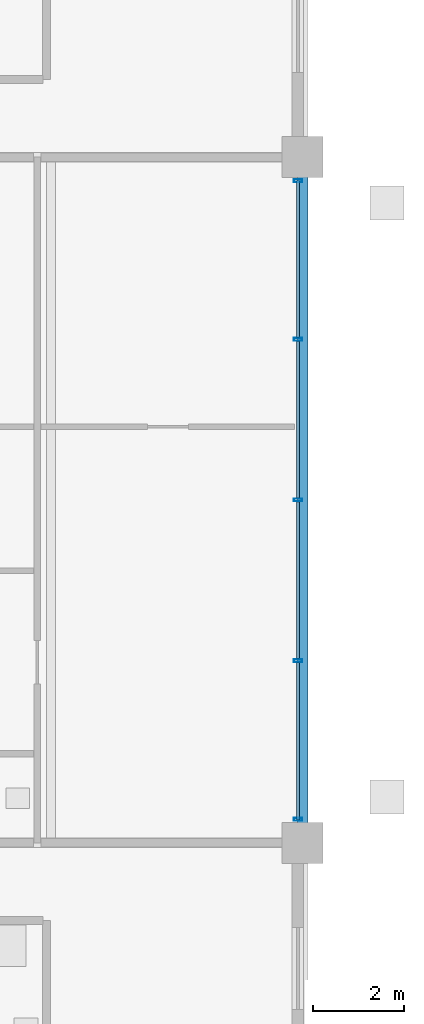
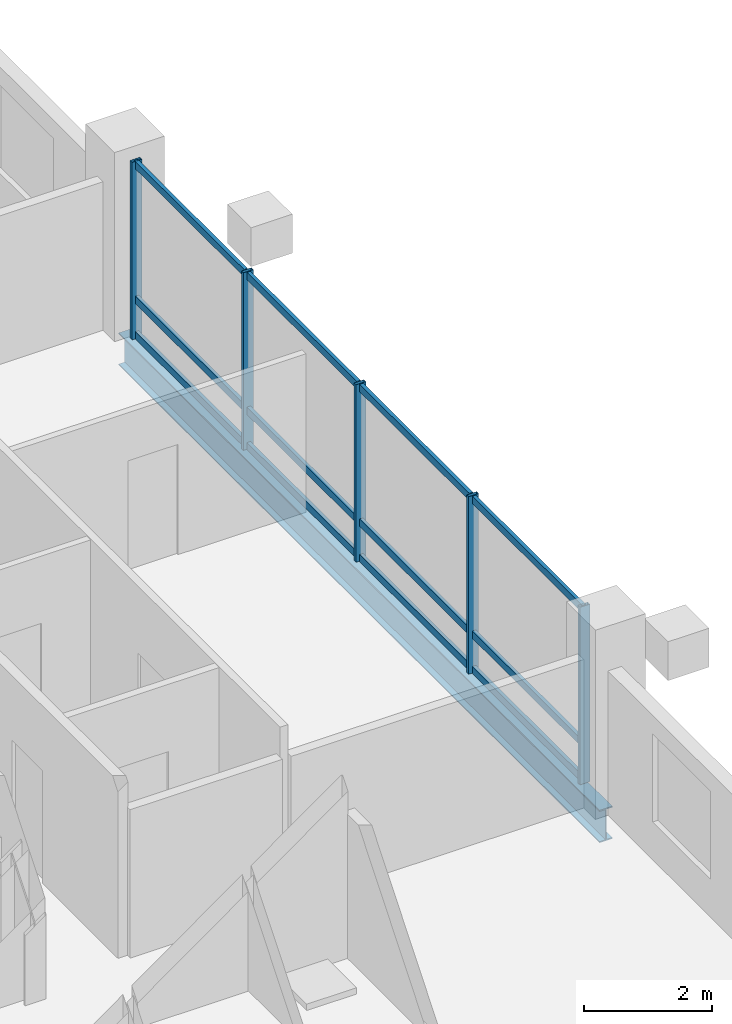
# One storey, part 10 of 21: 17 members, 1 beam, 1 element without a shape of its own.
"""IFC4 building model written with IfcOpenShell, lengths in metres."""

from ifc_helpers import new_model, si_unit, direction, frame, origin, origin_2d, place, context, subcontext, project, spatial, hollow_rectangle, i_section, extrude, material, layer, layer_set, material_profile, profile_set, type_object, element, aggregate, save


model = new_model("IFC4")

# Units and contexts
model_context = context("Model", 3, precision=1e-05, world=origin(), true_north=direction((0.0, 1.0)))
body_context = subcontext(model_context, "Body", "Model", "MODEL_VIEW")
ifc_project = project(units=[si_unit("LENGTHUNIT", "METRE"), si_unit("AREAUNIT", "SQUARE_METRE"), si_unit("VOLUMEUNIT", "CUBIC_METRE"), si_unit("PLANEANGLEUNIT", "RADIAN"), si_unit("MASSUNIT", "GRAM", prefix="KILO")], contexts=[model_context])

# Site, building, storey
site_placement = place(None, origin())
site = spatial("IfcSite", under=ifc_project, at=site_placement, CompositionType="ELEMENT")
building_placement = place(site_placement, origin())
building = spatial("IfcBuilding", under=site, at=building_placement, Name="Barlavira Tower and Art Museum", CompositionType="ELEMENT")
storey_placement = place(building_placement, frame((0.0, 0.0, 233.10009765625)))
storey = spatial("IfcBuildingStorey", under=building, at=storey_placement, Name="L60", CompositionType="ELEMENT", Elevation=233.10009765625)

# Curtain wall, members
ifc_material_1 = material(Name="Low-iron coastal laminated glass", Category="glass")
ifc_layer = layer(ifc_material_1, 0.2099609375, Name="Low-iron coastal laminated glass")
ifc_layer_set = layer_set([ifc_layer], Name="Low-iron coastal laminated glass")
curtain_wall_type = type_object("IfcCurtainWallType", Name="Pale-Metal Unitised Curtain Wall Zone 4", PredefinedType="NOTDEFINED", material=ifc_layer_set)
curtain_wall_placement = place(storey_placement, origin())
curtain_wall = element("IfcCurtainWall", 1, at=curtain_wall_placement, inside=storey, type_object=curtain_wall_type, Name="L60 Curtain Wall CW4-L60-E-B3", PredefinedType="NOTDEFINED")
ifc_material_2 = material(Name="Pale anodised aluminium", Category="aluminium")
ifc_material_profile_1 = material_profile(ifc_material_2, hollow_rectangle(XDim=0.06494140625, YDim=0.179931640625, WallThickness=0.00390625, at=origin_2d()), Name="ALU-MULL 65x180x4")
ifc_profile_set_1 = profile_set([ifc_material_profile_1], Name="Pale anodised aluminium")
member_type_1 = type_object("IfcMemberType", Name="Curtain Wall Pale-Metal Mullion 65x180", PredefinedType="MULLION", material=ifc_profile_set_1)
member_1_placement = place(storey_placement, frame((16.89990234375, -6.985107421875, 0.0), z_axis=(0.0, 0.0, 1.0), x_axis=(0.0, 1.0, 0.0)))
member_1 = element("IfcMember", 2, at=member_1_placement, type_object=member_type_1, Name="CW4-L60-E-B3 Mullion 0", PredefinedType="MULLION", context=body_context, shape_type="SweptSolid", body=[
    extrude(hollow_rectangle(XDim=0.06494140625, YDim=0.179931640625, WallThickness=0.00390625, at=origin_2d()), origin(), (0.0, 0.0, 1.0), 3.3798828125),
])
member_2_placement = place(storey_placement, frame((16.89990234375, -3.514892578125, 0.0), z_axis=(0.0, 0.0, 1.0), x_axis=(0.0, 1.0, 0.0)))
member_2 = element("IfcMember", 3, at=member_2_placement, type_object=member_type_1, Name="CW4-L60-E-B3 Mullion 1", PredefinedType="MULLION", context=body_context, shape_type="SweptSolid", body=[
    extrude(hollow_rectangle(XDim=0.06494140625, YDim=0.179931640625, WallThickness=0.00390625, at=origin_2d()), origin(), (0.0, 0.0, 1.0), 3.3798828125),
])
member_3_placement = place(storey_placement, frame((16.89990234375, 0.0, 0.0), z_axis=(0.0, 0.0, 1.0), x_axis=(0.0, 1.0, 0.0)))
member_3 = element("IfcMember", 4, at=member_3_placement, type_object=member_type_1, Name="CW4-L60-E-B3 Mullion 2", PredefinedType="MULLION", context=body_context, shape_type="SweptSolid", body=[
    extrude(hollow_rectangle(XDim=0.06494140625, YDim=0.179931640625, WallThickness=0.00390625, at=origin_2d()), origin(), (0.0, 0.0, 1.0), 3.3798828125),
])
member_4_placement = place(storey_placement, frame((16.89990234375, 3.514892578125, 0.0), z_axis=(0.0, 0.0, 1.0), x_axis=(0.0, 1.0, 0.0)))
member_4 = element("IfcMember", 5, at=member_4_placement, type_object=member_type_1, Name="CW4-L60-E-B3 Mullion 3", PredefinedType="MULLION", context=body_context, shape_type="SweptSolid", body=[
    extrude(hollow_rectangle(XDim=0.06494140625, YDim=0.179931640625, WallThickness=0.00390625, at=origin_2d()), origin(), (0.0, 0.0, 1.0), 3.3798828125),
])
member_5_placement = place(storey_placement, frame((16.89990234375, 6.985107421875, 0.0), z_axis=(0.0, 0.0, 1.0), x_axis=(0.0, 1.0, 0.0)))
member_5 = element("IfcMember", 6, at=member_5_placement, type_object=member_type_1, Name="CW4-L60-E-B3 Mullion 4", PredefinedType="MULLION", context=body_context, shape_type="SweptSolid", body=[
    extrude(hollow_rectangle(XDim=0.06494140625, YDim=0.179931640625, WallThickness=0.00390625, at=origin_2d()), origin(), (0.0, 0.0, 1.0), 3.3798828125),
])
ifc_material_profile_2 = material_profile(ifc_material_2, hollow_rectangle(XDim=0.06494140625, YDim=0.139892578125, WallThickness=0.00390625, at=origin_2d()), Name="ALU-TRAN 65x140x4")
ifc_profile_set_2 = profile_set([ifc_material_profile_2], Name="Pale anodised aluminium")
member_type_2 = type_object("IfcMemberType", Name="Curtain Wall Pale-Metal Transom 65x140", PredefinedType="USERDEFINED", material=ifc_profile_set_2)
member_6_placement = place(storey_placement, frame((16.89990234375, -6.985107421875, 0.06982421875), z_axis=(0.0, 1.0, 0.0), x_axis=(-1.0, 0.0, 0.0)))
member_6 = element("IfcMember", 7, at=member_6_placement, type_object=member_type_2, Name="CW4-L60-E-B3 Transom 0.1", ObjectType="TRANSOM", PredefinedType="USERDEFINED", context=body_context, shape_type="SweptSolid", body=[
    extrude(hollow_rectangle(XDim=0.06494140625, YDim=0.139892578125, WallThickness=0.00390625, at=origin_2d()), origin(), (0.0, 0.0, 1.0), 3.425048828125),
])
member_7_placement = place(storey_placement, frame((16.89990234375, -6.985107421875, 0.743896484375), z_axis=(0.0, 1.0, 0.0), x_axis=(-1.0, 0.0, 0.0)))
member_7 = element("IfcMember", 8, at=member_7_placement, type_object=member_type_2, Name="CW4-L60-E-B3 Transom 0.2", ObjectType="TRANSOM", PredefinedType="USERDEFINED", context=body_context, shape_type="SweptSolid", body=[
    extrude(hollow_rectangle(XDim=0.06494140625, YDim=0.139892578125, WallThickness=0.00390625, at=origin_2d()), origin(), (0.0, 0.0, 1.0), 3.425048828125),
])
member_8_placement = place(storey_placement, frame((16.89990234375, -6.985107421875, 3.309814453125), z_axis=(0.0, 1.0, 0.0), x_axis=(-1.0, 0.0, 0.0)))
member_8 = element("IfcMember", 9, at=member_8_placement, type_object=member_type_2, Name="CW4-L60-E-B3 Transom 0.3", ObjectType="TRANSOM", PredefinedType="USERDEFINED", context=body_context, shape_type="SweptSolid", body=[
    extrude(hollow_rectangle(XDim=0.06494140625, YDim=0.139892578125, WallThickness=0.00390625, at=origin_2d()), origin(), (0.0, 0.0, 1.0), 3.425048828125),
])
member_9_placement = place(storey_placement, frame((16.89990234375, -3.469970703125, 0.06982421875), z_axis=(0.0, 1.0, 0.0), x_axis=(-1.0, 0.0, 0.0)))
member_9 = element("IfcMember", 10, at=member_9_placement, type_object=member_type_2, Name="CW4-L60-E-B3 Transom 1.1", ObjectType="TRANSOM", PredefinedType="USERDEFINED", context=body_context, shape_type="SweptSolid", body=[
    extrude(hollow_rectangle(XDim=0.06494140625, YDim=0.139892578125, WallThickness=0.00390625, at=origin_2d()), origin(), (0.0, 0.0, 1.0), 3.425048828125),
])
member_10_placement = place(storey_placement, frame((16.89990234375, -3.469970703125, 0.743896484375), z_axis=(0.0, 1.0, 0.0), x_axis=(-1.0, 0.0, 0.0)))
member_10 = element("IfcMember", 11, at=member_10_placement, type_object=member_type_2, Name="CW4-L60-E-B3 Transom 1.2", ObjectType="TRANSOM", PredefinedType="USERDEFINED", context=body_context, shape_type="SweptSolid", body=[
    extrude(hollow_rectangle(XDim=0.06494140625, YDim=0.139892578125, WallThickness=0.00390625, at=origin_2d()), origin(), (0.0, 0.0, 1.0), 3.425048828125),
])
member_11_placement = place(storey_placement, frame((16.89990234375, -3.469970703125, 3.309814453125), z_axis=(0.0, 1.0, 0.0), x_axis=(-1.0, 0.0, 0.0)))
member_11 = element("IfcMember", 12, at=member_11_placement, type_object=member_type_2, Name="CW4-L60-E-B3 Transom 1.3", ObjectType="TRANSOM", PredefinedType="USERDEFINED", context=body_context, shape_type="SweptSolid", body=[
    extrude(hollow_rectangle(XDim=0.06494140625, YDim=0.139892578125, WallThickness=0.00390625, at=origin_2d()), origin(), (0.0, 0.0, 1.0), 3.425048828125),
])
member_12_placement = place(storey_placement, frame((16.89990234375, 0.044921875, 0.06982421875), z_axis=(0.0, 1.0, 0.0), x_axis=(-1.0, 0.0, 0.0)))
member_12 = element("IfcMember", 13, at=member_12_placement, type_object=member_type_2, Name="CW4-L60-E-B3 Transom 2.1", ObjectType="TRANSOM", PredefinedType="USERDEFINED", context=body_context, shape_type="SweptSolid", body=[
    extrude(hollow_rectangle(XDim=0.06494140625, YDim=0.139892578125, WallThickness=0.00390625, at=origin_2d()), origin(), (0.0, 0.0, 1.0), 3.425048828125),
])
member_13_placement = place(storey_placement, frame((16.89990234375, 0.044921875, 0.743896484375), z_axis=(0.0, 1.0, 0.0), x_axis=(-1.0, 0.0, 0.0)))
member_13 = element("IfcMember", 14, at=member_13_placement, type_object=member_type_2, Name="CW4-L60-E-B3 Transom 2.2", ObjectType="TRANSOM", PredefinedType="USERDEFINED", context=body_context, shape_type="SweptSolid", body=[
    extrude(hollow_rectangle(XDim=0.06494140625, YDim=0.139892578125, WallThickness=0.00390625, at=origin_2d()), origin(), (0.0, 0.0, 1.0), 3.425048828125),
])
member_14_placement = place(storey_placement, frame((16.89990234375, 0.044921875, 3.309814453125), z_axis=(0.0, 1.0, 0.0), x_axis=(-1.0, 0.0, 0.0)))
member_14 = element("IfcMember", 15, at=member_14_placement, type_object=member_type_2, Name="CW4-L60-E-B3 Transom 2.3", ObjectType="TRANSOM", PredefinedType="USERDEFINED", context=body_context, shape_type="SweptSolid", body=[
    extrude(hollow_rectangle(XDim=0.06494140625, YDim=0.139892578125, WallThickness=0.00390625, at=origin_2d()), origin(), (0.0, 0.0, 1.0), 3.425048828125),
])
member_15_placement = place(storey_placement, frame((16.89990234375, 3.56005859375, 0.06982421875), z_axis=(0.0, 1.0, 0.0), x_axis=(-1.0, 0.0, 0.0)))
member_15 = element("IfcMember", 16, at=member_15_placement, type_object=member_type_2, Name="CW4-L60-E-B3 Transom 3.1", ObjectType="TRANSOM", PredefinedType="USERDEFINED", context=body_context, shape_type="SweptSolid", body=[
    extrude(hollow_rectangle(XDim=0.06494140625, YDim=0.139892578125, WallThickness=0.00390625, at=origin_2d()), origin(), (0.0, 0.0, 1.0), 3.425048828125),
])
member_16_placement = place(storey_placement, frame((16.89990234375, 3.56005859375, 0.743896484375), z_axis=(0.0, 1.0, 0.0), x_axis=(-1.0, 0.0, 0.0)))
member_16 = element("IfcMember", 17, at=member_16_placement, type_object=member_type_2, Name="CW4-L60-E-B3 Transom 3.2", ObjectType="TRANSOM", PredefinedType="USERDEFINED", context=body_context, shape_type="SweptSolid", body=[
    extrude(hollow_rectangle(XDim=0.06494140625, YDim=0.139892578125, WallThickness=0.00390625, at=origin_2d()), origin(), (0.0, 0.0, 1.0), 3.425048828125),
])
member_17_placement = place(storey_placement, frame((16.89990234375, 3.56005859375, 3.309814453125), z_axis=(0.0, 1.0, 0.0), x_axis=(-1.0, 0.0, 0.0)))
member_17 = element("IfcMember", 18, at=member_17_placement, type_object=member_type_2, Name="CW4-L60-E-B3 Transom 3.3", ObjectType="TRANSOM", PredefinedType="USERDEFINED", context=body_context, shape_type="SweptSolid", body=[
    extrude(hollow_rectangle(XDim=0.06494140625, YDim=0.139892578125, WallThickness=0.00390625, at=origin_2d()), origin(), (0.0, 0.0, 1.0), 3.425048828125),
])
aggregate(curtain_wall, [member_1, member_2, member_3, member_4, member_5, member_6, member_7, member_8, member_9, member_10, member_11, member_12, member_13, member_14, member_15, member_16, member_17])

# Beam
ifc_material_3 = material(Name="Steel S355", Category="steel")
ifc_material_profile_3 = material_profile(ifc_material_3, i_section(OverallWidth=0.22998046875, OverallDepth=0.616943359375, WebThickness=0.01318359375, FlangeThickness=0.022216796875, at=origin_2d()), Name="W610x140.0")
ifc_profile_set_3 = profile_set([ifc_material_profile_3], Name="Steel S355")
beam_type = type_object("IfcBeamType", Name="Upper Shaft Spandrel Edge Beam W610x140 Steel S355", PredefinedType="SPANDREL", material=ifc_profile_set_3)
beam_placement = place(storey_placement, frame((17.0, -7.5, -0.528564453125), z_axis=(0.0, 1.0, 0.0), x_axis=(-1.0, 0.0, 0.0)))
element("IfcBeam", 19, at=beam_placement, inside=storey, type_object=beam_type, Name="L60 Spandrel 6", PredefinedType="SPANDREL", context=body_context, shape_type="SweptSolid", body=[
    extrude(i_section(OverallWidth=0.22998046875, OverallDepth=0.616943359375, WebThickness=0.01318359375, FlangeThickness=0.022216796875, at=origin_2d()), origin(), (0.0, 0.0, 1.0), 15.0),
])

save(model, "model.ifc")
